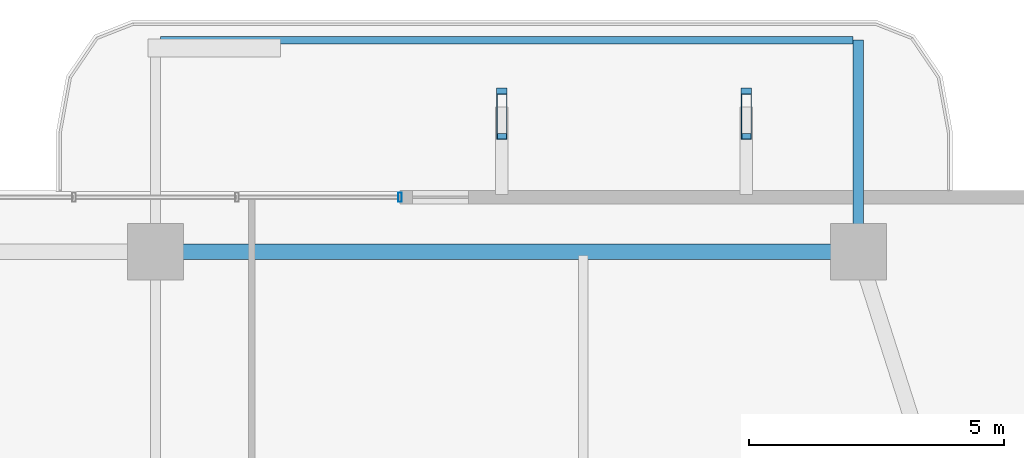
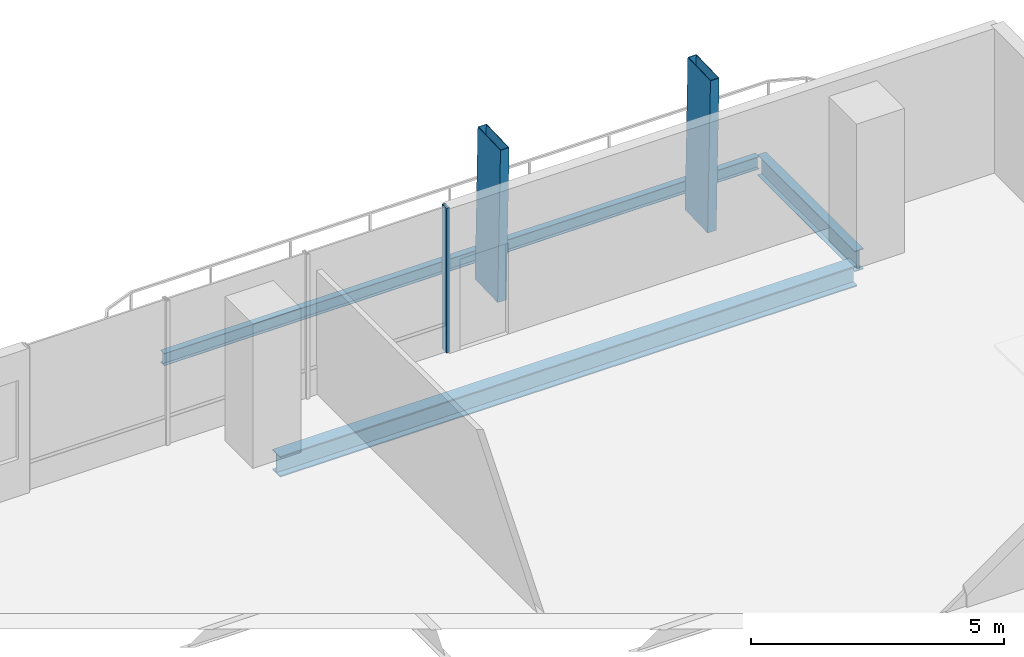
# One storey, part 17 of 25: 3 beams, 3 members, 1 element without a shape of its own.
"""IFC4 building model written with IfcOpenShell, lengths in metres."""

from ifc_helpers import new_model, si_unit, direction, frame, origin, origin_2d, place, context, subcontext, project, spatial, hollow_rectangle, i_section, extrude, material, layer, layer_set, material_profile, profile_set, type_object, element, aggregate, save


model = new_model("IFC4")

# Units and contexts
model_context = context("Model", 3, precision=1e-05, world=origin(), true_north=direction((0.0, 1.0)))
body_context = subcontext(model_context, "Body", "Model", "MODEL_VIEW")
ifc_project = project(units=[si_unit("LENGTHUNIT", "METRE"), si_unit("AREAUNIT", "SQUARE_METRE"), si_unit("VOLUMEUNIT", "CUBIC_METRE"), si_unit("PLANEANGLEUNIT", "RADIAN"), si_unit("MASSUNIT", "GRAM", prefix="KILO")], contexts=[model_context])

# Site, building, storey
site_placement = place(None, origin())
site = spatial("IfcSite", under=ifc_project, at=site_placement, CompositionType="ELEMENT")
building_placement = place(site_placement, origin())
building = spatial("IfcBuilding", under=site, at=building_placement, Name="Belovzor Exchange Tower", CompositionType="ELEMENT")
storey_placement = place(building_placement, frame((0.0, 0.0, 149.550048828125)))
storey = spatial("IfcBuildingStorey", under=building, at=storey_placement, Name="L36", CompositionType="ELEMENT", Elevation=149.550048828125)

# Beams
ifc_material_1 = material(Name="Steel S355", Category="steel")
ifc_material_profile_1 = material_profile(ifc_material_1, i_section(OverallWidth=0.199951171875, OverallDepth=0.5, WebThickness=0.01025390625, FlangeThickness=0.01611328125, at=origin_2d()))
ifc_profile_set_1 = profile_set([ifc_material_profile_1], Name="Steel S355")
beam_type_1 = type_object("IfcBeamType", Name="Planted Balcony Cantilever Beam IPE 500", PredefinedType="BEAM", material=ifc_profile_set_1)
beam_1_placement = place(storey_placement, frame((42.60009765625, 52.202880859375, -0.505126953125), z_axis=(0.0, 1.0, 0.0), x_axis=(-1.0, 0.0, 0.0)))
element("IfcBeam", 1, at=beam_1_placement, inside=storey, type_object=beam_type_1, Name="BC-500 Planted Balcony Cantilever Beam IPE 500", PredefinedType="BEAM", context=body_context, shape_type="SweptSolid", body=[
    extrude(i_section(OverallWidth=0.199951171875, OverallDepth=0.5, WebThickness=0.01025390625, FlangeThickness=0.01611328125, at=origin_2d()), origin(), (0.0, 0.0, 1.0), 3.85009765625),
])
ifc_material_2 = material(Name="Steel S355", Category="steel")
ifc_material_profile_2 = material_profile(ifc_material_2, i_section(OverallWidth=0.14990234375, OverallDepth=0.300048828125, WebThickness=0.007080078125, FlangeThickness=0.0107421875, at=origin_2d()))
ifc_profile_set_2 = profile_set([ifc_material_profile_2], Name="Steel S355")
beam_type_2 = type_object("IfcBeamType", Name="Planted Balcony Fascia Edge Beam IPE 300", PredefinedType="BEAM", material=ifc_profile_set_2)
beam_2_placement = place(storey_placement, frame((42.5, 56.052978515625, -0.405029296875), z_axis=(-1.0, 0.0, 0.0), x_axis=(0.0, -1.0, 0.0)))
element("IfcBeam", 2, at=beam_2_placement, inside=storey, type_object=beam_type_2, Name="BC-300 Planted Balcony Fascia Edge Beam IPE 300", PredefinedType="BEAM", context=body_context, shape_type="SweptSolid", body=[
    extrude(i_section(OverallWidth=0.14990234375, OverallDepth=0.300048828125, WebThickness=0.007080078125, FlangeThickness=0.0107421875, at=origin_2d()), origin(), (0.0, 0.0, 1.0), 13.60009765625),
])

# Members
ifc_material_3 = material(Name="Extruded Architectural Terracotta on Steel S355 Carrier", Category="masonry")
ifc_material_profile_3 = material_profile(ifc_material_3, hollow_rectangle(XDim=0.199951171875, YDim=0.89990234375, WallThickness=0.011962890625, at=origin_2d()))
ifc_profile_set_3 = profile_set([ifc_material_profile_3], Name="Extruded Architectural Terracotta on Steel S355 Carrier")
member_type_1 = type_object("IfcMemberType", Name="Sweeping Terracotta Baguette Fin Assembly 1250", PredefinedType="USERDEFINED", material=ifc_profile_set_3)
for number, where, z_axis, x_axis, name in (
    (3, (35.60009765625, 54.6640625, -0.255126953125), (0.0, -0.030129544208, 0.999546002226), (1.0, 0.0, 0.0), "FIN-TC125 Terracotta Facade Fin L36 N3"),
    (4, (40.39990234375, 54.6640625, -0.255126953125), (0.0, -0.030129544208, 0.999546002226), (1.0, 0.0, 0.0), "FIN-TC125 Terracotta Facade Fin L36 N4"),
):
    element("IfcMember", number, at=place(storey_placement, frame(where, z_axis=z_axis, x_axis=x_axis)), inside=storey, type_object=member_type_1, Name=name, ObjectType="FIN", PredefinedType="USERDEFINED", context=body_context, shape_type="SweptSolid", body=[
        extrude(hollow_rectangle(XDim=0.199951171875, YDim=0.89990234375, WallThickness=0.011962890625, at=origin_2d()), origin(), (0.0, 0.0, 1.0), 3.751708984375),
    ])

# Curtain wall, member
ifc_material_4 = material(Name="Anodised Aluminium Framing", Category="aluminium")
ifc_layer = layer(ifc_material_4, 0.179931640625)
ifc_layer_set = layer_set([ifc_layer], Name="Anodised Aluminium Framing")
curtain_wall_type = type_object("IfcCurtainWallType", Name="Recessed Loggia Low-Iron Triple-Glazed Curtain Wall", PredefinedType="NOTDEFINED", material=ifc_layer_set)
curtain_wall_placement = place(storey_placement, origin())
curtain_wall = element("IfcCurtainWall", 5, at=curtain_wall_placement, inside=storey, type_object=curtain_wall_type, Name="CW3 Recessed Loggia Low-Iron Triple-Glazed Curtain Wall L36", PredefinedType="NOTDEFINED")
ifc_material_5 = material(Name="Steel S355", Category="steel")
ifc_material_profile_4 = material_profile(ifc_material_5, hollow_rectangle(XDim=0.074951171875, YDim=0.179931640625, WallThickness=0.0048828125, at=origin_2d()))
ifc_profile_set_4 = profile_set([ifc_material_profile_4], Name="Steel S355")
member_type_2 = type_object("IfcMemberType", Name="Thermally Broken Curtain Wall Mullion 180x75", PredefinedType="MULLION", material=ifc_profile_set_4)
member_placement = place(storey_placement, frame((33.60009765625, 52.969970703125, 0.0), z_axis=(0.0, 0.0, 1.0), x_axis=(1.0, 0.0, 0.0)))
member = element("IfcMember", 6, at=member_placement, type_object=member_type_2, Name="CW-M180 Curtain Wall Mullion 4", PredefinedType="MULLION", context=body_context, shape_type="SweptSolid", body=[
    extrude(hollow_rectangle(XDim=0.074951171875, YDim=0.179931640625, WallThickness=0.0048828125, at=origin_2d()), origin(), (0.0, 0.0, 1.0), 3.494873046875),
])
aggregate(curtain_wall, [member])

# Beam
ifc_material_6 = material(Name="Steel S355", Category="steel")
ifc_material_profile_5 = material_profile(ifc_material_6, i_section(OverallWidth=0.300048828125, OverallDepth=0.5, WebThickness=0.014404296875, FlangeThickness=0.028076171875, at=origin_2d()))
ifc_profile_set_5 = profile_set([ifc_material_profile_5], Name="Steel S355")
beam_type_3 = type_object("IfcBeamType", Name="Zone 3 Waist Primary Girder HEB 500", PredefinedType="BEAM", material=ifc_profile_set_5)
beam_3_placement = place(storey_placement, frame((42.297119140625, 51.89990234375, -0.505126953125), z_axis=(-1.0, 0.0, 0.0), x_axis=(0.0, -1.0, 0.0)))
element("IfcBeam", 7, at=beam_3_placement, inside=storey, type_object=beam_type_3, Name="FG-Z3 Zone 3 Waist Primary Girder HEB 500", PredefinedType="BEAM", context=body_context, shape_type="SweptSolid", body=[
    extrude(i_section(OverallWidth=0.300048828125, OverallDepth=0.5, WebThickness=0.014404296875, FlangeThickness=0.028076171875, at=origin_2d()), origin(), (0.0, 0.0, 1.0), 13.195068359375),
])

save(model, "model.ifc")
